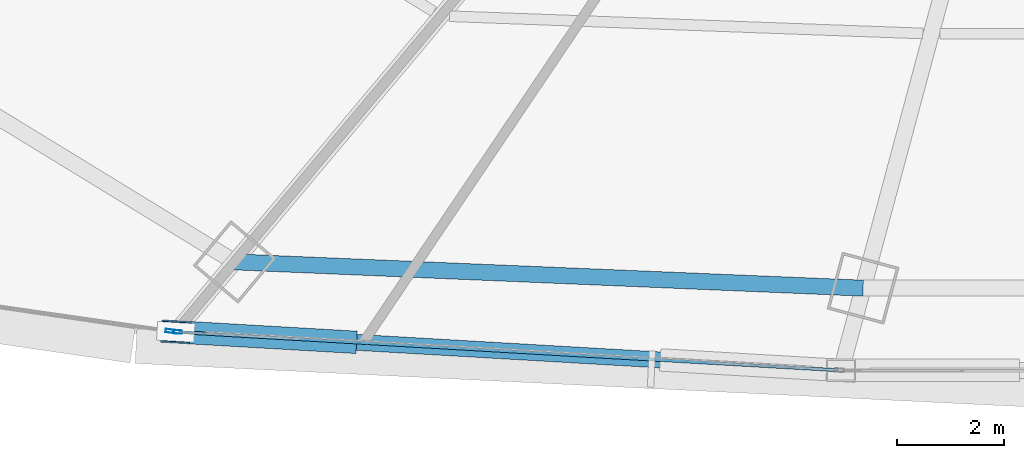
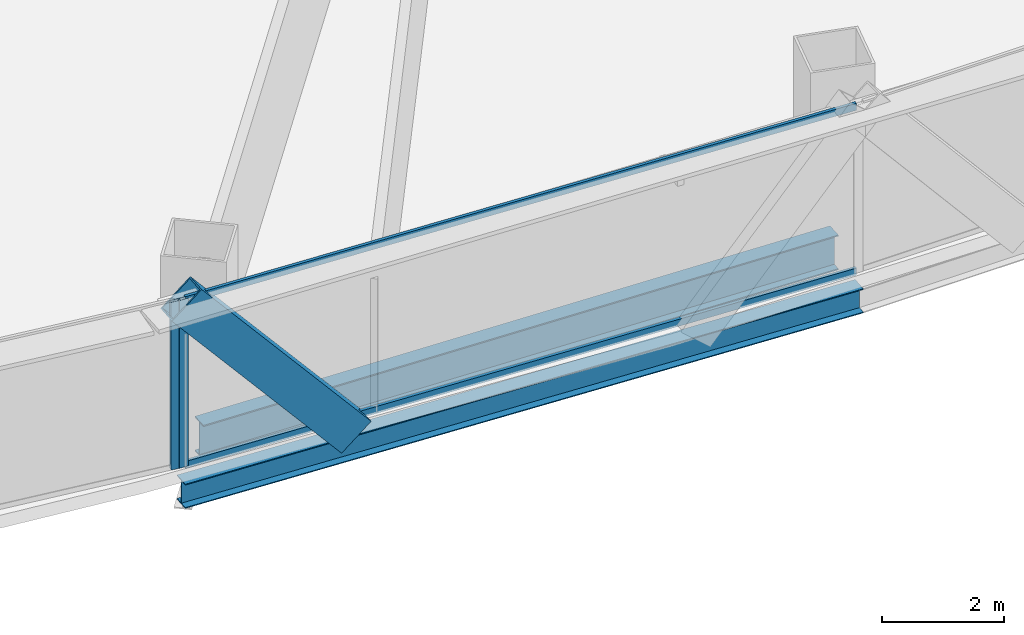
# One storey, part 6 of 42: 5 members, 2 beams, 2 elements without a shape of their own.
"""IFC4 building model written with IfcOpenShell, lengths in metres."""

from ifc_helpers import new_model, si_unit, direction, frame, origin, origin_2d, place, context, subcontext, project, spatial, hollow_rectangle, i_section, extrude, source, transform, mapped, material, layer, layer_set, material_profile, profile_set, type_object, element, aggregate, save


model = new_model("IFC4")

# Units and contexts
model_context = context("Model", 3, precision=1e-05, world=origin(), true_north=direction((0.0, 1.0)))
body_context = subcontext(model_context, "Body", "Model", "MODEL_VIEW")
ifc_project = project(units=[si_unit("LENGTHUNIT", "METRE"), si_unit("AREAUNIT", "SQUARE_METRE"), si_unit("VOLUMEUNIT", "CUBIC_METRE"), si_unit("PLANEANGLEUNIT", "RADIAN"), si_unit("MASSUNIT", "GRAM", prefix="KILO"), si_unit("THERMODYNAMICTEMPERATUREUNIT", "KELVIN"), si_unit("POWERUNIT", "WATT")], contexts=[model_context])

# Site, building, storey
site_placement = place(None, origin())
site = spatial("IfcSite", under=ifc_project, at=site_placement, CompositionType="ELEMENT")
building_placement = place(site_placement, origin())
building = spatial("IfcBuilding", under=site, at=building_placement, Name="Yunzhuo Pagoda Commons", CompositionType="ELEMENT")
storey_placement = place(building_placement, frame((0.0, 0.0, 44.919921875)))
storey = spatial("IfcBuildingStorey", under=building, at=storey_placement, Name="L11", CompositionType="ELEMENT", Elevation=44.919921875)

# Beams
ifc_material_1 = material(Name="Structural steel Q355B", Category="steel")
ifc_material_profile_1 = material_profile(ifc_material_1, i_section(OverallWidth=0.300048828125, OverallDepth=0.699951171875, WebThickness=0.012939453125, FlangeThickness=0.02392578125, at=origin_2d()), Name="Structural steel Q355B")
ifc_profile_set_1 = profile_set([ifc_material_profile_1], Name="Structural steel Q355B")
beam_type_1 = type_object("IfcBeamType", Name="B-RG1 Beam HN 700x300x13x24", PredefinedType="BEAM", material=ifc_profile_set_1)
shared_shape_1 = source(origin(), body_context, "Body", "SweptSolid", [
    extrude(i_section(OverallWidth=0.300048828125, OverallDepth=0.699951171875, WebThickness=0.012939453125, FlangeThickness=0.02392578125, at=origin_2d()), origin(), (0.0, 0.0, 1.0), 11.7900390625),
])
beam_1_placement = place(storey_placement, frame((30.5, 12.844482421875, -0.60986328125), z_axis=(0.99912739354, -0.041766631146, 0.0), x_axis=(0.041766631146, 0.99912739354, 0.0)))
element("IfcBeam", 1, at=beam_1_placement, inside=storey, type_object=beam_type_1, Name="L11 column-ring beam 1", PredefinedType="BEAM", context=body_context, shape_type="MappedRepresentation", body=[
    mapped(shared_shape_1, transform((0.0, 0.0, 0.0), scale=1.0)),
])
ifc_material_profile_2 = material_profile(ifc_material_1, i_section(OverallWidth=0.300048828125, OverallDepth=0.488037109375, WebThickness=0.010986328125, FlangeThickness=0.01806640625, at=origin_2d()), Name="Structural steel Q355B")
ifc_profile_set_2 = profile_set([ifc_material_profile_2], Name="Structural steel Q355B")
beam_type_2 = type_object("IfcBeamType", Name="B-SP1 Beam HM 488x300x11x18", PredefinedType="BEAM", material=ifc_profile_set_2)
shared_shape_2 = source(origin(), body_context, "Body", "SweptSolid", [
    extrude(i_section(OverallWidth=0.300048828125, OverallDepth=0.488037109375, WebThickness=0.010986328125, FlangeThickness=0.01806640625, at=origin_2d()), origin(), (0.0, 0.0, 1.0), 12.488037109375),
])
beam_2_placement = place(storey_placement, frame((29.399658203125, 11.532958984375, -0.50390625), z_axis=(0.998328811504, -0.057789134978, 0.0), x_axis=(0.057789134978, 0.998328811504, 0.0)))
element("IfcBeam", 2, at=beam_2_placement, inside=storey, type_object=beam_type_2, Name="L11 facade edge spandrel beam F1.1", PredefinedType="BEAM", context=body_context, shape_type="MappedRepresentation", body=[
    mapped(shared_shape_2, transform((0.0, 0.0, 0.0), scale=1.0)),
])

# Member
ifc_material_2 = material(Name="Structural steel Q420B", Category="steel")
ifc_material_profile_3 = material_profile(ifc_material_2, hollow_rectangle(XDim=0.419921875, YDim=0.719970703125, WallThickness=0.028076171875, at=origin_2d()), Name="Structural steel Q420B")
ifc_profile_set_3 = profile_set([ifc_material_profile_3], Name="Structural steel Q420B")
member_type_1 = type_object("IfcMemberType", Name="M-DL1 Brace BOX 720x420x28", PredefinedType="BRACE", material=ifc_profile_set_3)
shared_shape_3 = source(origin(), body_context, "Body", "SweptSolid", [
    extrude(hollow_rectangle(XDim=0.419921875, YDim=0.719970703125, WallThickness=0.028076171875, at=origin_2d()), origin(), (0.0, 0.0, 1.0), 4.7880859375),
])
member_1_placement = place(storey_placement, frame((32.5166015625, 11.3525390625, -0.260009765625), z_axis=(-0.650979815846, 0.037681059286, 0.758159229405), x_axis=(-0.057786879313, -0.998328942072, 0.0)))
element("IfcMember", 3, at=member_1_placement, inside=storey, type_object=member_type_1, Name="L11 facade diamond brace F1.1L", PredefinedType="BRACE", context=body_context, shape_type="MappedRepresentation", body=[
    mapped(shared_shape_3, transform((0.0, 0.0, 0.0), scale=1.0)),
])

# Curtain wall, member
ifc_material_3 = material(Name="Anodized aluminium 6063-T6", Category="aluminium")
ifc_layer = layer(ifc_material_3, 0.1650390625)
ifc_layer_set = layer_set([ifc_layer], Name="Anodized aluminium 6063-T6")
curtain_wall_type = type_object("IfcCurtainWallType", Name="CW-LOW Low-Zone Ribbon Curtain Wall", PredefinedType="NOTDEFINED", material=ifc_layer_set)
curtain_wall_1_placement = place(storey_placement, origin())
curtain_wall_1 = element("IfcCurtainWall", 4, at=curtain_wall_1_placement, inside=storey, type_object=curtain_wall_type, Name="L11 curtain wall CW-L11-F1B2", PredefinedType="NOTDEFINED")
ifc_material_profile_4 = material_profile(ifc_material_3, hollow_rectangle(XDim=0.06494140625, YDim=0.1650390625, WallThickness=0.00390625, at=origin_2d()), Name="Anodized aluminium 6063-T6")
ifc_profile_set_4 = profile_set([ifc_material_profile_4], Name="Anodized aluminium 6063-T6")
member_type_2 = type_object("IfcMemberType", Name="CW-LOW-M Mullion RHS 165x65x4", PredefinedType="MULLION", material=ifc_profile_set_4)
shared_shape_4 = source(origin(), body_context, "Body", "SweptSolid", [
    extrude(hollow_rectangle(XDim=0.06494140625, YDim=0.1650390625, WallThickness=0.00390625, at=origin_2d()), origin(), (0.0, 0.0, 1.0), 3.3701171875),
])
member_2_placement = place(storey_placement, frame((29.43212890625, 11.531005859375, 0.0), z_axis=(0.0, 0.0, 1.0), x_axis=(0.057790687505, 0.998328721633, 0.0)))
member_2 = element("IfcMember", 5, at=member_2_placement, type_object=member_type_2, Name="CW mullion 1", PredefinedType="MULLION", context=body_context, shape_type="MappedRepresentation", body=[
    mapped(shared_shape_4, transform((0.0, 0.0, 0.0), scale=1.0)),
])

curtain_wall_2_placement = place(storey_placement, origin())
curtain_wall_2 = element("IfcCurtainWall", 6, at=curtain_wall_2_placement, inside=storey, type_object=curtain_wall_type, Name="L11 curtain wall CW-L11-F1B1", PredefinedType="NOTDEFINED")
member_3_placement = place(storey_placement, frame((29.293212890625, 11.548095703125, 0.0), z_axis=(0.0, 0.0, 1.0), x_axis=(0.141492753346, 0.989939291447, 0.0)))
member_3 = element("IfcMember", 7, at=member_3_placement, type_object=member_type_2, Name="CW mullion 2", PredefinedType="MULLION", context=body_context, shape_type="MappedRepresentation", body=[
    mapped(shared_shape_4, transform((0.0, 0.0, 0.0), scale=1.0)),
])
aggregate(curtain_wall_2, [member_3])

# Member
ifc_material_profile_5 = material_profile(ifc_material_3, hollow_rectangle(XDim=0.06005859375, YDim=0.139892578125, WallThickness=0.00341796875, at=origin_2d()), Name="Anodized aluminium 6063-T6")
ifc_profile_set_5 = profile_set([ifc_material_profile_5], Name="Anodized aluminium 6063-T6")
member_type_3 = type_object("IfcMemberType", Name="CW-LOW-T Transom RHS 140x60x3.5", PredefinedType="USERDEFINED", material=ifc_profile_set_5)
shared_shape_5 = source(origin(), body_context, "Body", "SweptSolid", [
    extrude(hollow_rectangle(XDim=0.06005859375, YDim=0.139892578125, WallThickness=0.00341796875, at=origin_2d()), origin(), (0.0, 0.0, 1.0), 12.358154296875),
])
member_4_placement = place(storey_placement, frame((29.464599609375, 11.529296875, 0.030029296875), z_axis=(0.998327904956, -0.0578047938, 0.0), x_axis=(0.0578047938, 0.998327904956, 0.0)))
member_4 = element("IfcMember", 8, at=member_4_placement, type_object=member_type_3, Name="CW transom 1.1", ObjectType="TRANSOM", PredefinedType="USERDEFINED", context=body_context, shape_type="MappedRepresentation", body=[
    mapped(shared_shape_5, transform((0.0, 0.0, 0.0), scale=1.0)),
])

member_5_placement = place(storey_placement, frame((29.464599609375, 11.529296875, 3.340087890625), z_axis=(0.998327904956, -0.0578047938, 0.0), x_axis=(0.0578047938, 0.998327904956, 0.0)))
member_5 = element("IfcMember", 9, at=member_5_placement, type_object=member_type_3, Name="CW transom 1.2", ObjectType="TRANSOM", PredefinedType="USERDEFINED", context=body_context, shape_type="MappedRepresentation", body=[
    mapped(shared_shape_5, transform((0.0, 0.0, 0.0), scale=1.0)),
])

aggregate(curtain_wall_1, [member_2, member_4, member_5])

save(model, "model.ifc")
